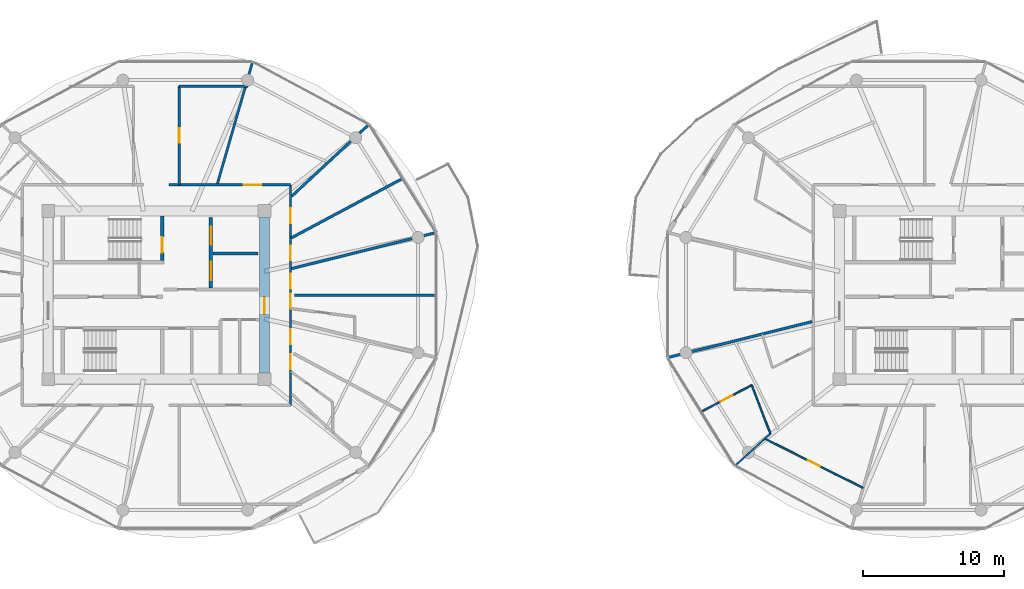
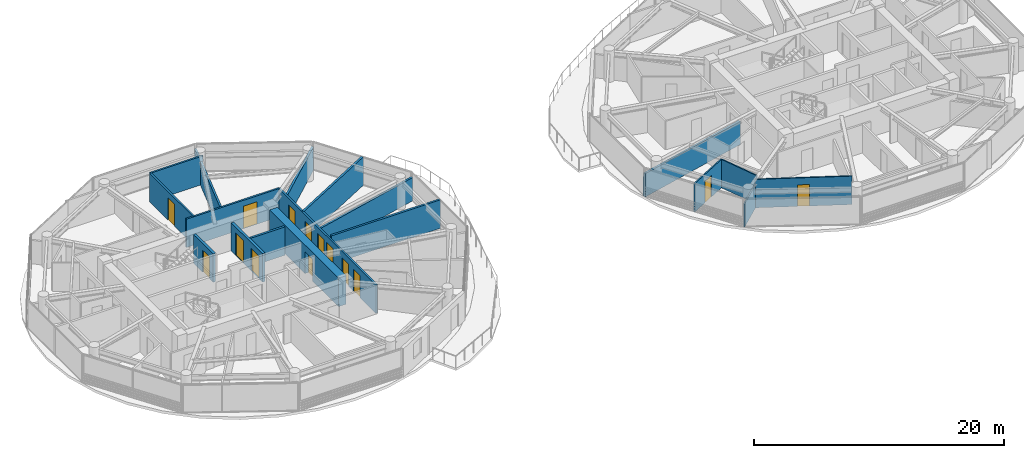
# One storey, part 15 of 22: 18 walls, 14 doors, 14 openings.
"""IFC4 building model written with IfcOpenShell, lengths in metres."""

from ifc_helpers import new_model, si_unit, direction, frame, frame_2d, origin, place, context, subcontext, project, spatial, rectangle, extrude, source, transform, mapped, material, layer, layer_set, type_object, type_shapes, element, fill, save


model = new_model("IFC4")

# Units and contexts
model_context = context("Model", 3, precision=1e-05, world=origin(), true_north=direction((0.0, 1.0)))
body_context = subcontext(model_context, "Body", "Model", "MODEL_VIEW")
ifc_project = project(units=[si_unit("LENGTHUNIT", "METRE"), si_unit("AREAUNIT", "SQUARE_METRE"), si_unit("VOLUMEUNIT", "CUBIC_METRE"), si_unit("PLANEANGLEUNIT", "RADIAN"), si_unit("MASSUNIT", "GRAM", prefix="KILO")], contexts=[model_context])

# Site, building, storey
site_placement = place(None, origin())
site = spatial("IfcSite", under=ifc_project, at=site_placement, CompositionType="ELEMENT")
building_placement = place(site_placement, origin())
building = spatial("IfcBuilding", under=site, at=building_placement, Name="Norrkilde Senior Care Towers", CompositionType="ELEMENT")
storey_placement = place(building_placement, frame((0.0, 0.0, 123.699951171875)))
storey = spatial("IfcBuildingStorey", under=building, at=storey_placement, Name="L38", CompositionType="ELEMENT", Elevation=123.699951171875)

# Wall, opening, door
ifc_material_1 = material(Name="Concrete C60/75", Category="concrete")
ifc_layer_1 = layer(ifc_material_1, 0.719970703125)
ifc_layer_set_1 = layer_set([ifc_layer_1], Name="Concrete C60/75")
wall_type_1 = type_object("IfcWallType", Name="Core Shear Wall Z2 720", PredefinedType="SHEAR", material=ifc_layer_set_1)
shared_shape_1 = source(origin(), body_context, "Body", "SweptSolid", [
    extrude(rectangle(XDim=11.0, YDim=0.719970703125, at=frame_2d((5.5, 0.0))), origin(), (0.0, 0.0, 1.0), 2.7900390625),
])
type_shapes(wall_type_1, [shared_shape_1])
wall_1_placement = place(storey_placement, frame((-20.35009765625, 5.5, 0.0), z_axis=(0.0, 0.0, 1.0), x_axis=(0.0, -1.0, 0.0)))
wall_1 = element("IfcWall", 1, at=wall_1_placement, inside=storey, type_object=wall_type_1, Name="L38 Core W East Shear Wall", PredefinedType="SHEAR", context=body_context, shape_type="MappedRepresentation", body=[
    mapped(shared_shape_1, transform((0.0, 0.0, 0.0), x_axis=(1.0, 0.0, 0.0), y_axis=(0.0, 1.0, 0.0), z_axis=(0.0, 0.0, 1.0), scale=1.0)),
])
opening_1_placement = place(wall_1_placement, frame((5.64990234375, 0.0, 0.0)))
opening_1 = element("IfcOpeningElement", 2, at=opening_1_placement, cuts=wall_1, Name="Opening D-04", PredefinedType="OPENING", context=body_context, shape_type="SweptSolid", body=[
    extrude(rectangle(XDim=1.199951171875, YDim=2.14990234375, at=frame_2d((0.60009765625, 1.074951171875))), frame((0.0, 0.369873046875, 0.0), z_axis=(0.0, -1.0, 0.0), x_axis=(1.0, 0.0, 0.0)), (0.0, 0.0, 1.0), 0.739990234375),
])
ifc_material_2 = material(Name="Galvanised Painted Steel", Category="steel")
door_type_1 = type_object("IfcDoorType", Name="Firefighting Lobby Fire Door 1200x2150", OperationType="NOTDEFINED", PredefinedType="DOOR", material=ifc_material_2)
shared_shape_2 = source(origin(), body_context, "Body", "SweptSolid", [
    extrude(rectangle(XDim=1.199951171875, YDim=2.14990234375, at=frame_2d((0.60009765625, 1.074951171875))), frame((0.0, 0.02490234375, 0.0), z_axis=(0.0, -1.0, 0.0), x_axis=(1.0, 0.0, 0.0)), (0.0, 0.0, 1.0), 0.050048828125),
])
type_shapes(door_type_1, [shared_shape_2])
door_1_placement = place(opening_1_placement, frame((1.199951171875, 0.0, 0.0), z_axis=(0.0, 0.0, 1.0), x_axis=(-1.0, 0.0, 0.0)))
door_1 = element("IfcDoor", 3, at=door_1_placement, inside=storey, type_object=door_type_1, Name="L38 Core W East Portal Door", OperationType="SINGLE_SWING_RIGHT", OverallHeight=2.14990234375, OverallWidth=1.199951171875, PredefinedType="DOOR", context=body_context, shape_type="MappedRepresentation", body=[
    mapped(shared_shape_2, transform((0.0, 0.0, 0.0), x_axis=(1.0, 0.0, 0.0), y_axis=(0.0, 1.0, 0.0), z_axis=(0.0, 0.0, 1.0), scale=1.0)),
])
fill(opening_1, door_1)

# Wall, openings, doors
ifc_material_3 = material(Name="Concrete C45/55", Category="concrete")
ifc_layer_2 = layer(ifc_material_3, 0.239990234375)
ifc_layer_set_2 = layer_set([ifc_layer_2], Name="Concrete C45/55")
wall_type_2 = type_object("IfcWallType", Name="Lift and Plant Rated Enclosure Partition 240", PredefinedType="PARTITIONING", material=ifc_layer_set_2)
shared_shape_3 = source(origin(), body_context, "Body", "SweptSolid", [
    extrude(rectangle(XDim=5.0, YDim=0.239990234375, at=frame_2d((2.5, 0.0))), origin(), (0.0, 0.0, 1.0), 2.775146484375),
])
type_shapes(wall_type_2, [shared_shape_3])
wall_2_placement = place(storey_placement, frame((-24.139892578125, 0.5, 0.0), z_axis=(0.0, 0.0, 1.0), x_axis=(0.0, 1.0, 0.0)))
wall_2 = element("IfcWall", 4, at=wall_2_placement, inside=storey, type_object=wall_type_2, Name="WL-INT-L38-W-FFLE", PredefinedType="PARTITIONING", context=body_context, shape_type="MappedRepresentation", body=[
    mapped(shared_shape_3, transform((0.0, 0.0, 0.0), x_axis=(1.0, 0.0, 0.0), y_axis=(0.0, 1.0, 0.0), z_axis=(0.0, 0.0, 1.0), scale=1.0)),
])
opening_2_placement = place(wall_2_placement, frame((3.050048828125, 0.0, 0.0)))
opening_2 = element("IfcOpeningElement", 5, at=opening_2_placement, cuts=wall_2, Name="Opening LD-02", PredefinedType="OPENING", context=body_context, shape_type="SweptSolid", body=[
    extrude(rectangle(XDim=1.300048828125, YDim=2.199951171875, at=frame_2d((0.64990234375, 1.10009765625))), frame((0.0, 0.1298828125, 0.0), z_axis=(0.0, -1.0, 0.0), x_axis=(1.0, 0.0, 0.0)), (0.0, 0.0, 1.0), 0.260009765625),
])
opening_3_placement = place(wall_2_placement, frame((0.550048828125, 0.0, 0.0)))
opening_3 = element("IfcOpeningElement", 6, at=opening_3_placement, cuts=wall_2, Name="Opening LD-02", PredefinedType="OPENING", context=body_context, shape_type="SweptSolid", body=[
    extrude(rectangle(XDim=1.300048828125, YDim=2.199951171875, at=frame_2d((0.64990234375, 1.10009765625))), frame((0.0, 0.1298828125, 0.0), z_axis=(0.0, -1.0, 0.0), x_axis=(1.0, 0.0, 0.0)), (0.0, 0.0, 1.0), 0.260009765625),
])
ifc_material_4 = material(Name="Stainless Steel", Category="steel")
door_type_2 = type_object("IfcDoorType", Name="Stretcher and FFL Landing Sliding Door 1300x2200", OperationType="NOTDEFINED", PredefinedType="DOOR", material=ifc_material_4)
shared_shape_4 = source(origin(), body_context, "Body", "SweptSolid", [
    extrude(rectangle(XDim=1.300048828125, YDim=2.199951171875, at=frame_2d((0.64990234375, 1.10009765625))), frame((0.0, 0.02490234375, 0.0), z_axis=(0.0, -1.0, 0.0), x_axis=(1.0, 0.0, 0.0)), (0.0, 0.0, 1.0), 0.050048828125),
])
type_shapes(door_type_2, [shared_shape_4])
door_2_placement = place(opening_2_placement, origin())
door_2 = element("IfcDoor", 7, at=door_2_placement, inside=storey, type_object=door_type_2, Name="L38 Firefighting Lift W1 Landing Door", OperationType="SLIDING_TO_LEFT", OverallHeight=2.199951171875, OverallWidth=1.300048828125, PredefinedType="DOOR", context=body_context, shape_type="MappedRepresentation", body=[
    mapped(shared_shape_4, transform((0.0, 0.0, 0.0), x_axis=(1.0, 0.0, 0.0), y_axis=(0.0, 1.0, 0.0), z_axis=(0.0, 0.0, 1.0), scale=1.0)),
])
fill(opening_2, door_2)
door_3_placement = place(opening_3_placement, origin())
door_3 = element("IfcDoor", 8, at=door_3_placement, inside=storey, type_object=door_type_2, Name="L38 Stretcher Lift W1 Landing Door", OperationType="SLIDING_TO_RIGHT", OverallHeight=2.199951171875, OverallWidth=1.300048828125, PredefinedType="DOOR", context=body_context, shape_type="MappedRepresentation", body=[
    mapped(shared_shape_4, transform((0.0, 0.0, 0.0), x_axis=(1.0, 0.0, 0.0), y_axis=(0.0, 1.0, 0.0), z_axis=(0.0, 0.0, 1.0), scale=1.0)),
])
fill(opening_3, door_3)

# Wall
ifc_layer_3 = layer(ifc_material_3, 0.199951171875)
ifc_layer_set_3 = layer_set([ifc_layer_3], Name="Concrete C45/55")
wall_type_3 = type_object("IfcWallType", Name="Shaft Division and Plant Partition 200", PredefinedType="PARTITIONING", material=ifc_layer_set_3)
shared_shape_5 = source(origin(), body_context, "Body", "SweptSolid", [
    extrude(rectangle(XDim=3.199951171875, YDim=0.199951171875, at=frame_2d((1.60009765625, 0.0))), origin(), (0.0, 0.0, 1.0), 2.775146484375),
])
type_shapes(wall_type_3, [shared_shape_5])
wall_3_placement = place(storey_placement, frame((-24.0, 2.949951171875, 0.0), z_axis=(0.0, 0.0, 1.0), x_axis=(1.0, 0.0, 0.0)))
element("IfcWall", 9, at=wall_3_placement, inside=storey, type_object=wall_type_3, Name="WL-INT-L38-W-FFLDIV", PredefinedType="PARTITIONING", context=body_context, shape_type="MappedRepresentation", body=[
    mapped(shared_shape_5, transform((0.0, 0.0, 0.0), x_axis=(1.0, 0.0, 0.0), y_axis=(0.0, 1.0, 0.0), z_axis=(0.0, 0.0, 1.0), scale=1.0)),
])

# Wall, openings, doors
ifc_material_5 = material(Name="Gypsum Acoustic Board")
ifc_layer_4 = layer(ifc_material_5, 0.1650390625)
ifc_layer_set_4 = layer_set([ifc_layer_4], Name="Gypsum Acoustic Board")
wall_type_4 = type_object("IfcWallType", Name="Corridor Rated Partition 165", PredefinedType="PARTITIONING", material=ifc_layer_set_4)
shared_shape_6 = source(origin(), body_context, "Body", "SweptSolid", [
    extrude(rectangle(XDim=15.60009765625, YDim=0.1650390625, at=frame_2d((7.800048828125, 0.0))), origin(), (0.0, 0.0, 1.0), 2.775146484375),
])
wall_4_placement = place(storey_placement, frame((-18.5, 7.800048828125, 0.0), z_axis=(0.0, 0.0, 1.0), x_axis=(0.0, -1.0, 0.0)))
wall_4 = element("IfcWall", 10, at=wall_4_placement, inside=storey, type_object=wall_type_4, Name="WL-INT-L38-W-CRW-E-0", PredefinedType="PARTITIONING", context=body_context, shape_type="MappedRepresentation", body=[
    mapped(shared_shape_6, transform((0.0, 0.0, 0.0), x_axis=(1.0, 0.0, 0.0), y_axis=(0.0, 1.0, 0.0), z_axis=(0.0, 0.0, 1.0), scale=1.0)),
])
opening_4_placement = place(wall_4_placement, frame((12.001953125, 0.0, 0.0)))
opening_4 = element("IfcOpeningElement", 11, at=opening_4_placement, cuts=wall_4, Name="Opening D-06", PredefinedType="OPENING", context=body_context, shape_type="SweptSolid", body=[
    extrude(rectangle(XDim=1.050048828125, YDim=2.14990234375, at=frame_2d((0.52490234375, 1.074951171875))), frame((0.0, 0.092529296875, 0.0), z_axis=(0.0, -1.0, 0.0), x_axis=(1.0, 0.0, 0.0)), (0.0, 0.0, 1.0), 0.18505859375),
])
opening_5_placement = place(wall_4_placement, frame((10.210693359375, 0.0, 0.0)))
opening_5 = element("IfcOpeningElement", 12, at=opening_5_placement, cuts=wall_4, Name="Opening D-06", PredefinedType="OPENING", context=body_context, shape_type="SweptSolid", body=[
    extrude(rectangle(XDim=1.050048828125, YDim=2.14990234375, at=frame_2d((0.52490234375, 1.074951171875))), frame((0.0, 0.092529296875, 0.0), z_axis=(0.0, -1.0, 0.0), x_axis=(1.0, 0.0, 0.0)), (0.0, 0.0, 1.0), 0.18505859375),
])
opening_6_placement = place(wall_4_placement, frame((7.721923828125, 0.0, 0.0)))
opening_6 = element("IfcOpeningElement", 13, at=opening_6_placement, cuts=wall_4, Name="Opening D-06", PredefinedType="OPENING", context=body_context, shape_type="SweptSolid", body=[
    extrude(rectangle(XDim=1.050048828125, YDim=2.14990234375, at=frame_2d((0.52490234375, 1.074951171875))), frame((0.0, 0.092529296875, 0.0), z_axis=(0.0, -1.0, 0.0), x_axis=(1.0, 0.0, 0.0)), (0.0, 0.0, 1.0), 0.18505859375),
])
opening_7_placement = place(wall_4_placement, frame((6.290771484375, 0.0, 0.0)))
opening_7 = element("IfcOpeningElement", 14, at=opening_7_placement, cuts=wall_4, Name="Opening D-06", PredefinedType="OPENING", context=body_context, shape_type="SweptSolid", body=[
    extrude(rectangle(XDim=1.050048828125, YDim=2.14990234375, at=frame_2d((0.52490234375, 1.074951171875))), frame((0.0, 0.092529296875, 0.0), z_axis=(0.0, -1.0, 0.0), x_axis=(1.0, 0.0, 0.0)), (0.0, 0.0, 1.0), 0.18505859375),
])
opening_8_placement = place(wall_4_placement, frame((4.296142578125, 0.0, 0.0)))
opening_8 = element("IfcOpeningElement", 15, at=opening_8_placement, cuts=wall_4, Name="Opening D-06", PredefinedType="OPENING", context=body_context, shape_type="SweptSolid", body=[
    extrude(rectangle(XDim=1.050048828125, YDim=2.14990234375, at=frame_2d((0.52490234375, 1.074951171875))), frame((0.0, 0.092529296875, 0.0), z_axis=(0.0, -1.0, 0.0), x_axis=(1.0, 0.0, 0.0)), (0.0, 0.0, 1.0), 0.18505859375),
])
opening_9_placement = place(wall_4_placement, frame((1.654052734375, 0.0, 0.0)))
opening_9 = element("IfcOpeningElement", 16, at=opening_9_placement, cuts=wall_4, Name="Opening D-06", PredefinedType="OPENING", context=body_context, shape_type="SweptSolid", body=[
    extrude(rectangle(XDim=1.050048828125, YDim=2.14990234375, at=frame_2d((0.52490234375, 1.074951171875))), frame((0.0, 0.092529296875, 0.0), z_axis=(0.0, -1.0, 0.0), x_axis=(1.0, 0.0, 0.0)), (0.0, 0.0, 1.0), 0.18505859375),
])
ifc_material_6 = material(Name="Nordic Ash Timber", Category="wood")
door_type_3 = type_object("IfcDoorType", Name="Apartment Entrance Fire Door 1050x2150", OperationType="NOTDEFINED", PredefinedType="DOOR", material=ifc_material_6)
shared_shape_7 = source(origin(), body_context, "Body", "SweptSolid", [
    extrude(rectangle(XDim=1.050048828125, YDim=2.14990234375, at=frame_2d((0.52490234375, 1.074951171875))), frame((0.0, 0.02490234375, 0.0), z_axis=(0.0, -1.0, 0.0), x_axis=(1.0, 0.0, 0.0)), (0.0, 0.0, 1.0), 0.050048828125),
])
type_shapes(door_type_3, [shared_shape_7])
door_4_placement = place(opening_4_placement, frame((1.050048828125, 0.0, 0.0), z_axis=(0.0, 0.0, 1.0), x_axis=(-1.0, 0.0, 0.0)))
door_4 = element("IfcDoor", 17, at=door_4_placement, inside=storey, type_object=door_type_3, Name="L38 Care Suite 3810A Entrance Door", OperationType="SINGLE_SWING_LEFT", OverallHeight=2.14990234375, OverallWidth=1.050048828125, PredefinedType="DOOR", context=body_context, shape_type="MappedRepresentation", body=[
    mapped(shared_shape_7, transform((0.0, 0.0, 0.0), x_axis=(1.0, 0.0, 0.0), y_axis=(0.0, 1.0, 0.0), z_axis=(0.0, 0.0, 1.0), scale=1.0)),
])
fill(opening_4, door_4)
door_5_placement = place(opening_5_placement, frame((1.050048828125, 0.0, 0.0), z_axis=(0.0, 0.0, 1.0), x_axis=(-1.0, 0.0, 0.0)))
door_5 = element("IfcDoor", 18, at=door_5_placement, inside=storey, type_object=door_type_3, Name="L38 Therapy Day Lounge 10 Door", OperationType="SINGLE_SWING_RIGHT", OverallHeight=2.14990234375, OverallWidth=1.050048828125, PredefinedType="DOOR", context=body_context, shape_type="MappedRepresentation", body=[
    mapped(shared_shape_7, transform((0.0, 0.0, 0.0), x_axis=(1.0, 0.0, 0.0), y_axis=(0.0, 1.0, 0.0), z_axis=(0.0, 0.0, 1.0), scale=1.0)),
])
fill(opening_5, door_5)
door_6_placement = place(opening_6_placement, frame((1.050048828125, 0.0, 0.0), z_axis=(0.0, 0.0, 1.0), x_axis=(-1.0, 0.0, 0.0)))
door_6 = element("IfcDoor", 19, at=door_6_placement, inside=storey, type_object=door_type_3, Name="L38 Care Suite 3811A Entrance Door", OperationType="SINGLE_SWING_RIGHT", OverallHeight=2.14990234375, OverallWidth=1.050048828125, PredefinedType="DOOR", context=body_context, shape_type="MappedRepresentation", body=[
    mapped(shared_shape_7, transform((0.0, 0.0, 0.0), x_axis=(1.0, 0.0, 0.0), y_axis=(0.0, 1.0, 0.0), z_axis=(0.0, 0.0, 1.0), scale=1.0)),
])
fill(opening_6, door_6)
door_7_placement = place(opening_7_placement, frame((1.050048828125, 0.0, 0.0), z_axis=(0.0, 0.0, 1.0), x_axis=(-1.0, 0.0, 0.0)))
door_7 = element("IfcDoor", 20, at=door_7_placement, inside=storey, type_object=door_type_3, Name="L38 Therapy Day Lounge 11 Door", OperationType="SINGLE_SWING_LEFT", OverallHeight=2.14990234375, OverallWidth=1.050048828125, PredefinedType="DOOR", context=body_context, shape_type="MappedRepresentation", body=[
    mapped(shared_shape_7, transform((0.0, 0.0, 0.0), x_axis=(1.0, 0.0, 0.0), y_axis=(0.0, 1.0, 0.0), z_axis=(0.0, 0.0, 1.0), scale=1.0)),
])
fill(opening_7, door_7)
door_8_placement = place(opening_8_placement, frame((1.050048828125, 0.0, 0.0), z_axis=(0.0, 0.0, 1.0), x_axis=(-1.0, 0.0, 0.0)))
door_8 = element("IfcDoor", 21, at=door_8_placement, inside=storey, type_object=door_type_3, Name="L38 Physiotherapy Clinic 0A Door", OperationType="SINGLE_SWING_LEFT", OverallHeight=2.14990234375, OverallWidth=1.050048828125, PredefinedType="DOOR", context=body_context, shape_type="MappedRepresentation", body=[
    mapped(shared_shape_7, transform((0.0, 0.0, 0.0), x_axis=(1.0, 0.0, 0.0), y_axis=(0.0, 1.0, 0.0), z_axis=(0.0, 0.0, 1.0), scale=1.0)),
])
fill(opening_8, door_8)
door_9_placement = place(opening_9_placement, frame((1.050048828125, 0.0, 0.0), z_axis=(0.0, 0.0, 1.0), x_axis=(-1.0, 0.0, 0.0)))
door_9 = element("IfcDoor", 22, at=door_9_placement, inside=storey, type_object=door_type_3, Name="L38 Assessment Clinic 0B Door", OperationType="SINGLE_SWING_RIGHT", OverallHeight=2.14990234375, OverallWidth=1.050048828125, PredefinedType="DOOR", context=body_context, shape_type="MappedRepresentation", body=[
    mapped(shared_shape_7, transform((0.0, 0.0, 0.0), x_axis=(1.0, 0.0, 0.0), y_axis=(0.0, 1.0, 0.0), z_axis=(0.0, 0.0, 1.0), scale=1.0)),
])
fill(opening_9, door_9)

# Wall, opening, door
ifc_layer_5 = layer(ifc_material_3, 0.239990234375)
ifc_layer_set_5 = layer_set([ifc_layer_5], Name="Concrete C45/55")
wall_type_5 = type_object("IfcWallType", Name="Shaft and Stair Enclosure Wall 240", PredefinedType="PARTITIONING", material=ifc_layer_set_5)
shared_shape_8 = source(origin(), body_context, "Body", "SweptSolid", [
    extrude(rectangle(XDim=3.14013671875, YDim=0.239990234375, at=frame_2d((1.570068359375, 0.0))), origin(), (0.0, 0.0, 1.0), 2.7900390625),
])
type_shapes(wall_type_5, [shared_shape_8])
wall_5_placement = place(storey_placement, frame((-27.580078125, 2.449951171875, 0.0), z_axis=(0.0, 0.0, 1.0), x_axis=(0.0, 1.0, 0.0)))
wall_5 = element("IfcWall", 23, at=wall_5_placement, inside=storey, type_object=wall_type_5, Name="WL-INT-L38-W-ST1E", PredefinedType="PARTITIONING", context=body_context, shape_type="MappedRepresentation", body=[
    mapped(shared_shape_8, transform((0.0, 0.0, 0.0), x_axis=(1.0, 0.0, 0.0), y_axis=(0.0, 1.0, 0.0), z_axis=(0.0, 0.0, 1.0), scale=1.0)),
])
opening_10_placement = place(wall_5_placement, frame((0.550048828125, 0.0, 0.0)))
opening_10 = element("IfcOpeningElement", 24, at=opening_10_placement, cuts=wall_5, Name="Opening D-03", PredefinedType="OPENING", context=body_context, shape_type="SweptSolid", body=[
    extrude(rectangle(XDim=1.10009765625, YDim=2.14990234375, at=frame_2d((0.550048828125, 1.074951171875))), frame((0.0, 0.1298828125, 0.0), z_axis=(0.0, -1.0, 0.0), x_axis=(1.0, 0.0, 0.0)), (0.0, 0.0, 1.0), 0.260009765625),
])
door_type_4 = type_object("IfcDoorType", Name="Stairwell Protected Fire Door 1100x2150", OperationType="NOTDEFINED", PredefinedType="DOOR", material=ifc_material_2)
shared_shape_9 = source(origin(), body_context, "Body", "SweptSolid", [
    extrude(rectangle(XDim=1.10009765625, YDim=2.14990234375, at=frame_2d((0.550048828125, 1.074951171875))), frame((0.0, 0.02490234375, 0.0), z_axis=(0.0, -1.0, 0.0), x_axis=(1.0, 0.0, 0.0)), (0.0, 0.0, 1.0), 0.050048828125),
])
type_shapes(door_type_4, [shared_shape_9])
door_10_placement = place(opening_10_placement, origin())
door_10 = element("IfcDoor", 25, at=door_10_placement, inside=storey, type_object=door_type_4, Name="L38 Stair W1 Fire Door", OperationType="SINGLE_SWING_LEFT", OverallHeight=2.14990234375, OverallWidth=1.10009765625, PredefinedType="DOOR", context=body_context, shape_type="MappedRepresentation", body=[
    mapped(shared_shape_9, transform((0.0, 0.0, 0.0), x_axis=(1.0, 0.0, 0.0), y_axis=(0.0, 1.0, 0.0), z_axis=(0.0, 0.0, 1.0), scale=1.0)),
])
fill(opening_10, door_10)

# Walls
ifc_layer_6 = layer(ifc_material_5, 0.18994140625)
ifc_layer_set_6 = layer_set([ifc_layer_6], Name="Gypsum Acoustic Board")
wall_type_6 = type_object("IfcWallType", Name="Unit Demising Acoustic Wall 190", PredefinedType="PARTITIONING", material=ifc_layer_set_6)
shared_shape_10 = source(origin(), body_context, "Body", "SweptSolid", [
    extrude(rectangle(XDim=7.482177734375, YDim=0.18994140625, at=frame_2d((3.7412109375, 0.0))), origin(), (0.0, 0.0, 1.0), 2.275146484375),
])
wall_6_placement = place(storey_placement, frame((-18.419921875, 6.998046875, 0.0), z_axis=(0.0, 0.0, 1.0), x_axis=(0.732508698043, 0.680757671489, 0.0)))
element("IfcWall", 26, at=wall_6_placement, inside=storey, type_object=wall_type_6, Name="WL-INT-L38-W-DEM-01-0", PredefinedType="PARTITIONING", context=body_context, shape_type="MappedRepresentation", body=[
    mapped(shared_shape_10, transform((0.0, 0.0, 0.0), x_axis=(1.0, 0.0, 0.0), y_axis=(0.0, 1.0, 0.0), z_axis=(0.0, 0.0, 1.0), scale=1.0)),
])
shared_shape_11 = source(origin(), body_context, "Body", "SweptSolid", [
    extrude(rectangle(XDim=10.5556640625, YDim=0.18994140625, at=frame_2d((5.27783203125, 0.0))), origin(), (0.0, 0.0, 1.0), 2.275146484375),
])
for number, where, z_axis, x_axis, name in (
    (27, (-18.419921875, 1.875, 0.0), (0.0, 0.0, 1.0), (0.970363857851, 0.241648470667, 0.0), "WL-INT-L38-W-DEM-00-0"),
    (28, (18.419921875, -1.875, 0.0), (0.0, 0.0, 1.0), (-0.970363857851, -0.241648470667, 0.0), "WL-INT-L38-E-DEM-06-0"),
):
    element("IfcWall", number, at=place(storey_placement, frame(where, z_axis=z_axis, x_axis=x_axis)), inside=storey, type_object=wall_type_6, Name=name, PredefinedType="PARTITIONING", context=body_context, shape_type="MappedRepresentation", body=[
        mapped(shared_shape_11, transform((0.0, 0.0, 0.0), x_axis=(1.0, 0.0, 0.0), y_axis=(0.0, 1.0, 0.0), z_axis=(0.0, 0.0, 1.0), scale=1.0)),
    ])

# Wall, opening, door
shared_shape_12 = source(origin(), body_context, "Body", "SweptSolid", [
    extrude(rectangle(XDim=8.60009765625, YDim=0.1650390625, at=frame_2d((4.300048828125, 0.0))), origin(), (0.0, 0.0, 1.0), 2.775146484375),
])
wall_7_placement = place(storey_placement, frame((-27.10009765625, 7.800048828125, 0.0), z_axis=(0.0, 0.0, 1.0), x_axis=(1.0, 0.0, 0.0)))
wall_7 = element("IfcWall", 29, at=wall_7_placement, inside=storey, type_object=wall_type_4, Name="WL-INT-L38-W-CRW-N-1", PredefinedType="PARTITIONING", context=body_context, shape_type="MappedRepresentation", body=[
    mapped(shared_shape_12, transform((0.0, 0.0, 0.0), x_axis=(1.0, 0.0, 0.0), y_axis=(0.0, 1.0, 0.0), z_axis=(0.0, 0.0, 1.0), scale=1.0)),
])
opening_11_placement = place(wall_7_placement, frame((5.27490234375, 0.0, 0.0)))
opening_11 = element("IfcOpeningElement", 30, at=opening_11_placement, cuts=wall_7, Name="Opening D-05", PredefinedType="OPENING", context=body_context, shape_type="SweptSolid", body=[
    extrude(rectangle(XDim=1.25, YDim=2.199951171875, at=frame_2d((0.625, 1.10009765625))), frame((0.0, 0.092529296875, 0.0), z_axis=(0.0, -1.0, 0.0), x_axis=(1.0, 0.0, 0.0)), (0.0, 0.0, 1.0), 0.18505859375),
])
door_type_5 = type_object("IfcDoorType", Name="Care Bedroom Bariatric Door 1250x2200", OperationType="NOTDEFINED", PredefinedType="DOOR", material=ifc_material_6)
shared_shape_13 = source(origin(), body_context, "Body", "SweptSolid", [
    extrude(rectangle(XDim=1.25, YDim=2.199951171875, at=frame_2d((0.625, 1.10009765625))), frame((0.0, 0.02490234375, 0.0), z_axis=(0.0, -1.0, 0.0), x_axis=(1.0, 0.0, 0.0)), (0.0, 0.0, 1.0), 0.050048828125),
])
type_shapes(door_type_5, [shared_shape_13])
door_11_placement = place(opening_11_placement, frame((1.25, 0.0, 0.0), z_axis=(0.0, 0.0, 1.0), x_axis=(-1.0, 0.0, 0.0)))
door_11 = element("IfcDoor", 31, at=door_11_placement, inside=storey, type_object=door_type_5, Name="L38 Household Therapeutic Kitchen Door", OperationType="SINGLE_SWING_RIGHT", OverallHeight=2.199951171875, OverallWidth=1.25, PredefinedType="DOOR", context=body_context, shape_type="MappedRepresentation", body=[
    mapped(shared_shape_13, transform((0.0, 0.0, 0.0), x_axis=(1.0, 0.0, 0.0), y_axis=(0.0, 1.0, 0.0), z_axis=(0.0, 0.0, 1.0), scale=1.0)),
])
fill(opening_11, door_11)

# Walls
shared_shape_14 = source(origin(), body_context, "Body", "SweptSolid", [
    extrude(rectangle(XDim=8.9892578125, YDim=0.1650390625, at=frame_2d((4.49462890625, 0.0))), origin(), (0.0, 0.0, 1.0), 2.275146484375),
])
wall_8_placement = place(storey_placement, frame((-23.677978515625, 7.8798828125, 0.0), z_axis=(0.0, 0.0, 1.0), x_axis=(0.27702323008, 0.960863221274, 0.0)))
element("IfcWall", 32, at=wall_8_placement, inside=storey, type_object=wall_type_4, Name="WL-INT-L38-W-DEM-02-0", PredefinedType="PARTITIONING", context=body_context, shape_type="MappedRepresentation", body=[
    mapped(shared_shape_14, transform((0.0, 0.0, 0.0), x_axis=(1.0, 0.0, 0.0), y_axis=(0.0, 1.0, 0.0), z_axis=(0.0, 0.0, 1.0), scale=1.0)),
])
shared_shape_15 = source(origin(), body_context, "Body", "SweptSolid", [
    extrude(rectangle(XDim=10.035888671875, YDim=0.18994140625, at=frame_2d((5.01806640625, 0.0))), origin(), (0.0, 0.0, 1.0), 2.775146484375),
])
wall_9_placement = place(storey_placement, frame((-18.212890625, 0.0, 0.0), z_axis=(0.0, 0.0, 1.0), x_axis=(1.0, 0.0, 0.0)))
element("IfcWall", 33, at=wall_9_placement, inside=storey, type_object=wall_type_6, Name="WL-INT-L38-W-CMID-11", PredefinedType="PARTITIONING", context=body_context, shape_type="MappedRepresentation", body=[
    mapped(shared_shape_15, transform((0.0, 0.0, 0.0), x_axis=(1.0, 0.0, 0.0), y_axis=(0.0, 1.0, 0.0), z_axis=(0.0, 0.0, 1.0), scale=1.0)),
])
shared_shape_16 = source(origin(), body_context, "Body", "SweptSolid", [
    extrude(rectangle(XDim=8.96826171875, YDim=0.18994140625, at=frame_2d((4.484130859375, 0.0))), origin(), (0.0, 0.0, 1.0), 2.775146484375),
])
type_shapes(wall_type_6, [shared_shape_10, shared_shape_11, shared_shape_15, shared_shape_16])
wall_10_placement = place(storey_placement, frame((-18.469970703125, 4.03564453125, 0.0), z_axis=(0.0, 0.0, 1.0), x_axis=(0.882202936563, 0.47086938605, 0.0)))
element("IfcWall", 34, at=wall_10_placement, inside=storey, type_object=wall_type_6, Name="WL-INT-L38-W-MID-00", PredefinedType="PARTITIONING", context=body_context, shape_type="MappedRepresentation", body=[
    mapped(shared_shape_16, transform((0.0, 0.0, 0.0), x_axis=(1.0, 0.0, 0.0), y_axis=(0.0, 1.0, 0.0), z_axis=(0.0, 0.0, 1.0), scale=1.0)),
])

# Wall, opening, door
ifc_layer_7 = layer(ifc_material_5, 0.114990234375)
ifc_layer_set_7 = layer_set([ifc_layer_7], Name="Gypsum Acoustic Board")
wall_type_7 = type_object("IfcWallType", Name="Internal Room Partition 115", PredefinedType="PARTITIONING", material=ifc_layer_set_7)
shared_shape_17 = source(origin(), body_context, "Body", "SweptSolid", [
    extrude(rectangle(XDim=7.76708984375, YDim=0.114990234375, at=frame_2d((3.883544921875, 0.0))), origin(), (0.0, 0.0, 1.0), 2.775146484375),
])
wall_11_placement = place(storey_placement, frame((15.069580078125, -10.16748046875, 0.0), z_axis=(0.0, 0.0, 1.0), x_axis=(0.894188177352, -0.447691303783, 0.0)))
wall_11 = element("IfcWall", 35, at=wall_11_placement, inside=storey, type_object=wall_type_7, Name="WL-INT-L38-E-UBC-06-1", PredefinedType="PARTITIONING", context=body_context, shape_type="MappedRepresentation", body=[
    mapped(shared_shape_17, transform((0.0, 0.0, 0.0), x_axis=(1.0, 0.0, 0.0), y_axis=(0.0, 1.0, 0.0), z_axis=(0.0, 0.0, 1.0), scale=1.0)),
])
opening_12_placement = place(wall_11_placement, frame((3.40869140625, 0.0, 0.0)))
opening_12 = element("IfcOpeningElement", 36, at=opening_12_placement, cuts=wall_11, Name="Opening D-07", PredefinedType="OPENING", context=body_context, shape_type="SweptSolid", body=[
    extrude(rectangle(XDim=0.949951171875, YDim=2.10009765625, at=frame_2d((0.47509765625, 1.050048828125))), frame((0.0, 0.0673828125, 0.0), z_axis=(0.0, -1.0, 0.0), x_axis=(1.0, 0.0, 0.0)), (0.0, 0.0, 1.0), 0.135009765625),
])
door_type_6 = type_object("IfcDoorType", Name="Internal Suite Bedroom Door 950x2100", OperationType="NOTDEFINED", PredefinedType="DOOR", material=ifc_material_6)
shared_shape_18 = source(origin(), body_context, "Body", "SweptSolid", [
    extrude(rectangle(XDim=0.949951171875, YDim=2.10009765625, at=frame_2d((0.47509765625, 1.050048828125))), frame((0.0, 0.02490234375, 0.0), z_axis=(0.0, -1.0, 0.0), x_axis=(1.0, 0.0, 0.0)), (0.0, 0.0, 1.0), 0.050048828125),
])
type_shapes(door_type_6, [shared_shape_18])
door_12_placement = place(opening_12_placement, origin())
door_12 = element("IfcDoor", 37, at=door_12_placement, inside=storey, type_object=door_type_6, Name="Apartment 38C Bedroom 1 Door", OperationType="SINGLE_SWING_RIGHT", OverallHeight=2.10009765625, OverallWidth=0.949951171875, PredefinedType="DOOR", context=body_context, shape_type="MappedRepresentation", body=[
    mapped(shared_shape_18, transform((0.0, 0.0, 0.0), x_axis=(1.0, 0.0, 0.0), y_axis=(0.0, 1.0, 0.0), z_axis=(0.0, 0.0, 1.0), scale=1.0)),
])
fill(opening_12, door_12)

shared_shape_19 = source(origin(), body_context, "Body", "SweptSolid", [
    extrude(rectangle(XDim=6.989990234375, YDim=0.1650390625, at=frame_2d((3.4951171875, 0.0))), origin(), (0.0, 0.0, 1.0), 2.775146484375),
])
wall_12_placement = place(storey_placement, frame((-26.3798828125, 7.800048828125, 0.0), z_axis=(0.0, 0.0, 1.0), x_axis=(0.0, 1.0, 0.0)))
wall_12 = element("IfcWall", 38, at=wall_12_placement, inside=storey, type_object=wall_type_4, Name="WL-INT-L38-W-PKW-NEL", PredefinedType="PARTITIONING", context=body_context, shape_type="MappedRepresentation", body=[
    mapped(shared_shape_19, transform((0.0, 0.0, 0.0), x_axis=(1.0, 0.0, 0.0), y_axis=(0.0, 1.0, 0.0), z_axis=(0.0, 0.0, 1.0), scale=1.0)),
])
opening_13_placement = place(wall_12_placement, frame((2.969970703125, 0.0, 0.0)))
opening_13 = element("IfcOpeningElement", 39, at=opening_13_placement, cuts=wall_12, Name="Opening D-06", PredefinedType="OPENING", context=body_context, shape_type="SweptSolid", body=[
    extrude(rectangle(XDim=1.050048828125, YDim=2.14990234375, at=frame_2d((0.52490234375, 1.074951171875))), frame((0.0, 0.092529296875, 0.0), z_axis=(0.0, -1.0, 0.0), x_axis=(1.0, 0.0, 0.0)), (0.0, 0.0, 1.0), 0.18505859375),
])
door_13_placement = place(opening_13_placement, frame((1.050048828125, 0.0, 0.0), z_axis=(0.0, 0.0, 1.0), x_axis=(-1.0, 0.0, 0.0)))
door_13 = element("IfcDoor", 40, at=door_13_placement, inside=storey, type_object=door_type_3, Name="L38 Reading Lounge NEL Door", OperationType="SINGLE_SWING_RIGHT", OverallHeight=2.14990234375, OverallWidth=1.050048828125, PredefinedType="DOOR", context=body_context, shape_type="MappedRepresentation", body=[
    mapped(shared_shape_7, transform((0.0, 0.0, 0.0), x_axis=(1.0, 0.0, 0.0), y_axis=(0.0, 1.0, 0.0), z_axis=(0.0, 0.0, 1.0), scale=1.0)),
])
fill(opening_13, door_13)

# Walls
shared_shape_20 = source(origin(), body_context, "Body", "SweptSolid", [
    extrude(rectangle(XDim=4.8505859375, YDim=0.1650390625, at=frame_2d((2.42529296875, 0.0))), origin(), (0.0, 0.0, 1.0), 2.775146484375),
])
type_shapes(wall_type_4, [shared_shape_6, shared_shape_12, shared_shape_14, shared_shape_19, shared_shape_20])
wall_13_placement = place(storey_placement, frame((-26.3798828125, 14.7900390625, 0.0), z_axis=(0.0, 0.0, 1.0), x_axis=(1.0, 0.0, 0.0)))
element("IfcWall", 41, at=wall_13_placement, inside=storey, type_object=wall_type_4, Name="WL-INT-L38-W-PKH-NEL-0", PredefinedType="PARTITIONING", context=body_context, shape_type="MappedRepresentation", body=[
    mapped(shared_shape_20, transform((0.0, 0.0, 0.0), x_axis=(1.0, 0.0, 0.0), y_axis=(0.0, 1.0, 0.0), z_axis=(0.0, 0.0, 1.0), scale=1.0)),
])
shared_shape_21 = source(origin(), body_context, "Body", "SweptSolid", [
    extrude(rectangle(XDim=3.392822265625, YDim=0.114990234375, at=frame_2d((1.6962890625, 0.0))), origin(), (0.0, 0.0, 1.0), 2.275146484375),
])
wall_14_placement = place(storey_placement, frame((15.451171875, -9.810791015625, 0.0), z_axis=(0.0, 0.0, 1.0), x_axis=(-0.740356690907, -0.672214229416, 0.0)))
element("IfcWall", 42, at=wall_14_placement, inside=storey, type_object=wall_type_7, Name="WL-INT-L38-E-UBR-06-1", PredefinedType="PARTITIONING", context=body_context, shape_type="MappedRepresentation", body=[
    mapped(shared_shape_21, transform((0.0, 0.0, 0.0), x_axis=(1.0, 0.0, 0.0), y_axis=(0.0, 1.0, 0.0), z_axis=(0.0, 0.0, 1.0), scale=1.0)),
])

# Wall, opening, door
shared_shape_22 = source(origin(), body_context, "Body", "SweptSolid", [
    extrude(rectangle(XDim=4.041748046875, YDim=0.114990234375, at=frame_2d((2.02099609375, 0.0))), origin(), (0.0, 0.0, 1.0), 2.775146484375),
])
wall_15_placement = place(storey_placement, frame((14.134033203125, -6.375, 0.0), z_axis=(0.0, 0.0, 1.0), x_axis=(-0.88476748851, -0.466032714812, 0.0)))
wall_15 = element("IfcWall", 43, at=wall_15_placement, inside=storey, type_object=wall_type_7, Name="WL-INT-L38-E-UKTS-06", PredefinedType="PARTITIONING", context=body_context, shape_type="MappedRepresentation", body=[
    mapped(shared_shape_22, transform((0.0, 0.0, 0.0), x_axis=(1.0, 0.0, 0.0), y_axis=(0.0, 1.0, 0.0), z_axis=(0.0, 0.0, 1.0), scale=1.0)),
])
opening_14_placement = place(wall_15_placement, frame((1.5458984375, 0.0, 0.0)))
opening_14 = element("IfcOpeningElement", 44, at=opening_14_placement, cuts=wall_15, Name="Opening D-07", PredefinedType="OPENING", context=body_context, shape_type="SweptSolid", body=[
    extrude(rectangle(XDim=0.949951171875, YDim=2.10009765625, at=frame_2d((0.47509765625, 1.050048828125))), frame((0.0, 0.0673828125, 0.0), z_axis=(0.0, -1.0, 0.0), x_axis=(1.0, 0.0, 0.0)), (0.0, 0.0, 1.0), 0.135009765625),
])
door_14_placement = place(opening_14_placement, frame((0.949951171875, 0.0, 0.0), z_axis=(0.0, 0.0, 1.0), x_axis=(-1.0, 0.0, 0.0)))
door_14 = element("IfcDoor", 45, at=door_14_placement, inside=storey, type_object=door_type_6, Name="Apartment 38C Kitchen Door", OperationType="SINGLE_SWING_LEFT", OverallHeight=2.10009765625, OverallWidth=0.949951171875, PredefinedType="DOOR", context=body_context, shape_type="MappedRepresentation", body=[
    mapped(shared_shape_18, transform((0.0, 0.0, 0.0), x_axis=(1.0, 0.0, 0.0), y_axis=(0.0, 1.0, 0.0), z_axis=(0.0, 0.0, 1.0), scale=1.0)),
])
fill(opening_14, door_14)

# Wall
shared_shape_23 = source(origin(), body_context, "Body", "SweptSolid", [
    extrude(rectangle(XDim=3.677001953125, YDim=0.114990234375, at=frame_2d((1.83837890625, 0.0))), origin(), (0.0, 0.0, 1.0), 2.775146484375),
])
type_shapes(wall_type_7, [shared_shape_17, shared_shape_21, shared_shape_22, shared_shape_23])
wall_16_placement = place(storey_placement, frame((14.134033203125, -6.375, 0.0), z_axis=(0.0, 0.0, 1.0), x_axis=(0.359592980271, -0.933109258629, 0.0)))
element("IfcWall", 46, at=wall_16_placement, inside=storey, type_object=wall_type_7, Name="WL-INT-L38-E-UKTF-06", PredefinedType="PARTITIONING", context=body_context, shape_type="MappedRepresentation", body=[
    mapped(shared_shape_23, transform((0.0, 0.0, 0.0), x_axis=(1.0, 0.0, 0.0), y_axis=(0.0, 1.0, 0.0), z_axis=(0.0, 0.0, 1.0), scale=1.0)),
])

save(model, "model.ifc")
